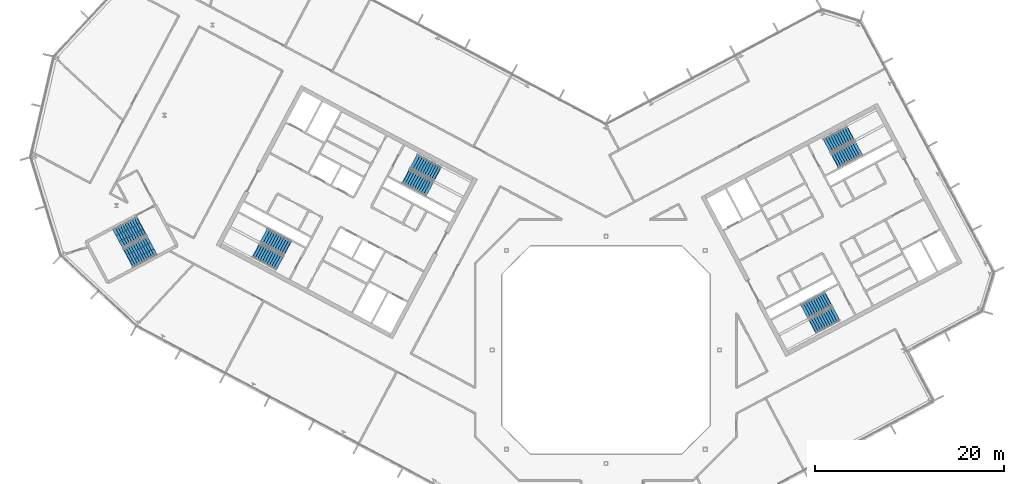
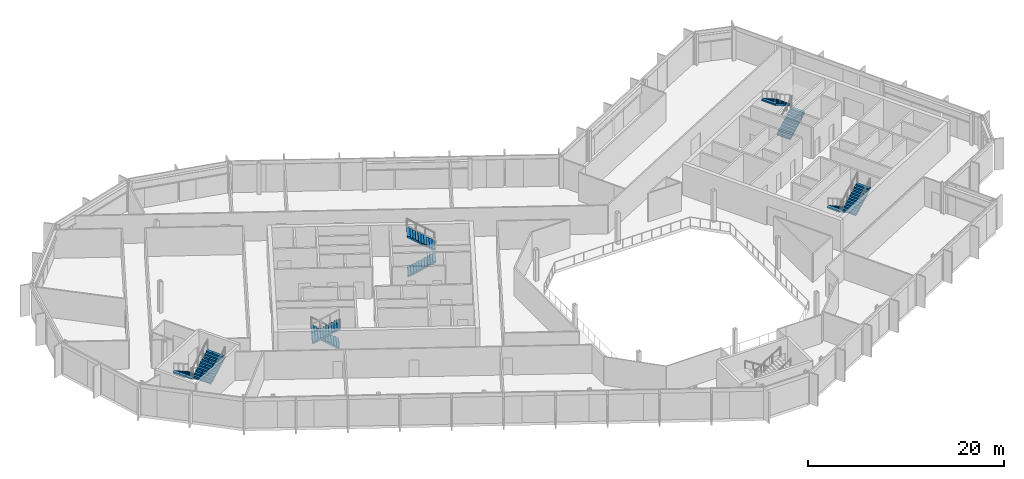
# One storey, part 18 of 26: 10 stair flights, 5 elements without a shape of their own.
"""IFC4 building model written with IfcOpenShell, lengths in metres."""

import ifcopenshell
import ifcopenshell.guid

model = None  # the IFC model being written
_history = None  # IfcOwnerHistory: only IFC2X3 demands one
_inside = {}  # id of a spatial element -> (the spatial element, [elements in it])
_under = {}  # id of a project, library or spatial element -> (it, [spatial elements below it])
_declared = {}  # id of a project -> (the project, [libraries it declares])
_typed = {}  # id of a type object -> (the type object, [elements of that type])
_made_of = {}  # id of a material, layer set ... -> (it, [elements and type objects made of it])


def new_model(schema):
    """Start an empty IFC model of exactly this schema.

    Asked for "IFC4X3", IfcOpenShell would pick the latest addendum, in which some entities
    have other attributes; the version numbers below select the first issue.
    IFC2X3 requires an IfcOwnerHistory on every rooted entity: one is made here for all.
    """
    global model, _history
    if schema == "IFC4X3":
        model = ifcopenshell.file(schema_version=(4, 3, 0, 0))
    else:
        model = ifcopenshell.file(schema=schema)
    _inside.clear()
    _under.clear()
    _declared.clear()
    _typed.clear()
    _made_of.clear()
    _history = None
    if model.schema == "IFC2X3":
        org = make("IfcOrganization", Name="unknown")
        user = make(
            "IfcPersonAndOrganization",
            ThePerson=make("IfcPerson", FamilyName="unknown"),
            TheOrganization=org,
        )
        app = make(
            "IfcApplication",
            ApplicationDeveloper=org,
            Version="unknown",
            ApplicationFullName="unknown",
            ApplicationIdentifier="unknown",
        )
        _history = make(
            "IfcOwnerHistory",
            OwningUser=user,
            OwningApplication=app,
            ChangeAction="ADDED",
            CreationDate=0,
        )
    return model


def make(cls, **values):
    """One entity of the class cls with the attributes given. An attribute that is None is left unset."""
    return model.create_entity(
        cls, **{name: value for name, value in values.items() if value is not None}
    )


def rooted(cls, **values):
    """An entity with a GlobalId (a new one), such as an element, a storey or a relation."""
    return make(cls, GlobalId=ifcopenshell.guid.new(), OwnerHistory=_history, **values)


def si_unit(unit_type, name, prefix=None):
    """IfcSIUnit, for example si_unit("LENGTHUNIT", "METRE", prefix="MILLI")."""
    return make("IfcSIUnit", UnitType=unit_type, Prefix=prefix, Name=name)


def assignment(units):
    """IfcUnitAssignment: the units of a project."""
    return None if units is None else make("IfcUnitAssignment", Units=units)


def point(xyz):
    """IfcCartesianPoint."""
    return None if xyz is None else make("IfcCartesianPoint", Coordinates=xyz)


def direction(xyz):
    """IfcDirection."""
    return None if xyz is None else make("IfcDirection", DirectionRatios=xyz)


def frame(location, z_axis=None, x_axis=None):
    """IfcAxis2Placement3D, a coordinate frame: its origin and axes. An axis left out is left unset."""
    return make(
        "IfcAxis2Placement3D",
        Location=point(location),
        Axis=direction(z_axis),
        RefDirection=direction(x_axis),
    )


def origin():
    """The frame at (0, 0, 0) with its axes left unset."""
    return frame((0.0, 0.0, 0.0))


def place(relative_to, where):
    """IfcLocalPlacement: puts the frame where relative to a parent placement (None: the world)."""
    return make(
        "IfcLocalPlacement", PlacementRelTo=relative_to, RelativePlacement=where
    )


def context(
    kind, dimensions, precision=None, world=None, true_north=None, identifier=None
):
    """IfcGeometricRepresentationContext, for example the 3D "Model" context."""
    return make(
        "IfcGeometricRepresentationContext",
        ContextIdentifier=identifier,
        ContextType=kind,
        CoordinateSpaceDimension=dimensions,
        Precision=precision,
        WorldCoordinateSystem=world,
        TrueNorth=true_north,
    )


def subcontext(parent, identifier, kind, view, scale=None):
    """IfcGeometricRepresentationSubContext, for example "Body" below "Model"."""
    return make(
        "IfcGeometricRepresentationSubContext",
        ContextIdentifier=identifier,
        ContextType=kind,
        ParentContext=parent,
        TargetScale=scale,
        TargetView=view,
    )


def project(units=None, contexts=None):
    """IfcProject with its units and contexts."""
    return rooted(
        "IfcProject",
        Name="project",
        RepresentationContexts=contexts,
        UnitsInContext=assignment(units),
    )


def spatial(cls, under=None, at=None, **own):
    """A site, building, storey or space (cls), placed at a placement, below another one or the project."""
    s = rooted(cls, ObjectPlacement=at, **own)
    if under is not None:
        _under.setdefault(under.id(), (under, []))[1].append(s)
    return s


def polyline(points):
    """IfcPolyline through the points."""
    return make("IfcPolyline", Points=[point(p) for p in points])


def outline(outer, holes=None, kind="AREA"):
    """IfcArbitraryClosedProfileDef: a profile drawn as a closed curve; with holes, ...WithVoids."""
    if holes is None:
        return make("IfcArbitraryClosedProfileDef", ProfileType=kind, OuterCurve=outer)
    return make(
        "IfcArbitraryProfileDefWithVoids",
        ProfileType=kind,
        OuterCurve=outer,
        InnerCurves=holes,
    )


def extrude(swept, where, along, depth):
    """IfcExtrudedAreaSolid: the profile swept, set in the frame where, extruded along a direction by depth."""
    return make(
        "IfcExtrudedAreaSolid",
        SweptArea=swept,
        Position=where,
        ExtrudedDirection=direction(along),
        Depth=depth,
    )


def shape(context_of_items, identifier, shape_type, items):
    """IfcShapeRepresentation: the items that make up one representation, for example the "Body"."""
    return make(
        "IfcShapeRepresentation",
        ContextOfItems=context_of_items,
        RepresentationIdentifier=identifier,
        RepresentationType=shape_type,
        Items=items,
    )


def material(Name=None, Category=None):
    """IfcMaterial."""
    return make("IfcMaterial", Name=Name, Category=Category)


def made_of(thing, what):
    """Note that an element or type object is made of a material, layer set ...; save() writes the relation."""
    if what is not None:
        _made_of.setdefault(what.id(), (what, []))[1].append(thing)
    return thing


def type_object(cls, material=None, **own):
    """A type object (cls), such as IfcWallType, which elements share."""
    return made_of(rooted(cls, **own), material)


def element(
    cls,
    number,
    at=None,
    inside=None,
    cuts=None,
    type_object=None,
    material=None,
    context=None,
    identifier="Body",
    shape_type=None,
    held_by="IfcProductDefinitionShape",
    body=None,
    shapes=None,
    **own,
):
    """One element of the class cls, such as IfcWall. Its Tag is "e" and its number.

    at: its placement. inside: the storey or other place that contains it. cuts: it is an
    opening in that element (IfcRelVoidsElement). A single representation is given by context,
    identifier, shape_type and body (its items); several are given by shapes. held_by: the class
    of the entity that holds the representations. save() writes the other relations.
    """
    e = rooted(cls, Tag="e%d" % number, ObjectPlacement=at, **own)
    if body is not None:
        shapes = [shape(context, identifier, shape_type, body)]
    if shapes is not None:
        e.Representation = make(held_by, Representations=shapes)
    if inside is not None:
        _inside.setdefault(inside.id(), (inside, []))[1].append(e)
    if cuts is not None:
        rooted(
            "IfcRelVoidsElement", RelatingBuildingElement=cuts, RelatedOpeningElement=e
        )
    if type_object is not None:
        _typed.setdefault(type_object.id(), (type_object, []))[1].append(e)
    return made_of(e, material)


def aggregate(whole, parts):
    """IfcRelAggregates: a whole, such as a stair, and the parts it consists of."""
    return rooted("IfcRelAggregates", RelatingObject=whole, RelatedObjects=parts)


def save(model, path):
    """Write the relations noted so far, then the file.

    IfcRelAggregates (storeys below a building ...), IfcRelContainedInSpatialStructure (elements
    in a storey), IfcRelDefinesByType, IfcRelAssociatesMaterial and IfcRelDeclares: one each for
    every whole, place, type object, material and project.
    """
    for whole, parts in _under.values():
        aggregate(whole, parts)
    for where, things in _inside.values():
        rooted(
            "IfcRelContainedInSpatialStructure",
            RelatedElements=things,
            RelatingStructure=where,
        )
    for kind, things in _typed.values():
        rooted("IfcRelDefinesByType", RelatedObjects=things, RelatingType=kind)
    for what, things in _made_of.values():
        rooted("IfcRelAssociatesMaterial", RelatedObjects=things, RelatingMaterial=what)
    for by, libraries in _declared.values():
        rooted("IfcRelDeclares", RelatingContext=by, RelatedDefinitions=libraries)
    model.write(path)


model = new_model("IFC4")

# Units and contexts
model_context = context("Model", 3, precision=1e-05, world=origin(), true_north=direction((0.0, 1.0)))
body_context = subcontext(model_context, "Body", "Model", "MODEL_VIEW")
ifc_project = project(units=[si_unit("LENGTHUNIT", "METRE"), si_unit("AREAUNIT", "SQUARE_METRE"), si_unit("VOLUMEUNIT", "CUBIC_METRE"), si_unit("PLANEANGLEUNIT", "RADIAN"), si_unit("MASSUNIT", "GRAM", prefix="KILO")], contexts=[model_context])

# Site, building, storey
site_placement = place(None, origin())
site = spatial("IfcSite", under=ifc_project, at=site_placement, CompositionType="ELEMENT")
building_placement = place(site_placement, origin())
building = spatial("IfcBuilding", under=site, at=building_placement, Name="Cormorant Relay Tower", CompositionType="ELEMENT")
storey_placement = place(building_placement, frame((0.0, 0.0, 300.89990234375)))
storey = spatial("IfcBuildingStorey", under=building, at=storey_placement, Name="L68", CompositionType="ELEMENT", Elevation=300.89990234375)

# Stair, stair flights
ifc_material_1 = material(Name="Concrete 40 MPa", Category="concrete")
stair_type_1 = type_object("IfcStairType", Name="Exit stair 1500", PredefinedType="HALF_TURN_STAIR", material=ifc_material_1)
stair_1_placement = place(storey_placement, origin())
stair_1 = element("IfcStair", 1, at=stair_1_placement, inside=storey, type_object=stair_type_1, Name="L68 Stair", PredefinedType="HALF_TURN_STAIR")
ifc_material_2 = material(Name="Concrete 40 MPa", Category="concrete")
stair_flight_type_1 = type_object("IfcStairFlightType", Name="Exit stair flight 1650", PredefinedType="STRAIGHT", material=ifc_material_2)
stair_flight_1_placement = place(storey_placement, frame((-21.114501953125, 18.33349609375, 0.0), z_axis=(0.0, 0.0, 1.0), x_axis=(0.882947592859, -0.469471562786, 0.0)))
stair_flight_1 = element("IfcStairFlight", 2, at=stair_flight_1_placement, type_object=stair_flight_type_1, Name="A1 flight 1", NumberOfRisers=11, NumberOfTreads=10, PredefinedType="STRAIGHT", RiserHeight=0.177272727, TreadLength=0.28, context=body_context, shape_type="SweptSolid", body=[
    extrude(outline(polyline([(-0.050048828125, -0.080078125), (-0.050048828125, 0.0), (0.0, 0.0), (0.0, 0.17724609375), (0.280029296875, 0.17724609375), (0.280029296875, 0.3544921875), (0.56005859375, 0.3544921875), (0.56005859375, 0.53173828125), (0.840087890625, 0.53173828125), (0.840087890625, 0.708984375), (1.1201171875, 0.708984375), (1.1201171875, 0.886474609375), (1.39990234375, 0.886474609375), (1.39990234375, 1.063720703125), (1.679931640625, 1.063720703125), (1.679931640625, 1.240966796875), (1.9599609375, 1.240966796875), (1.9599609375, 1.418212890625), (2.239990234375, 1.418212890625), (2.239990234375, 1.595458984375), (2.52001953125, 1.595458984375), (2.52001953125, 1.772705078125), (2.800048828125, 1.772705078125), (2.85009765625, 1.772705078125), (2.85009765625, 1.59521484375), (2.800048828125, 1.59521484375), (0.2802734375, 0.0), (-0.050048828125, -0.080078125)])), frame((0.0, 0.824951171875, 0.0), z_axis=(0.0, -1.0, 0.0), x_axis=(1.0, 0.0, 0.0)), (0.0, 0.0, 1.0), 1.64990234375),
])
stair_flight_2_placement = place(storey_placement, frame((-17.797119140625, 18.6083984375, 1.9501953125), z_axis=(0.0, 0.0, 1.0), x_axis=(-0.882947592859, 0.469471562786, 0.0)))
stair_flight_2 = element("IfcStairFlight", 3, at=stair_flight_2_placement, type_object=stair_flight_type_1, Name="A1 flight 2", NumberOfRisers=11, NumberOfTreads=10, PredefinedType="STRAIGHT", RiserHeight=0.177272727, TreadLength=0.28, context=body_context, shape_type="SweptSolid", body=[
    extrude(outline(polyline([(-0.050048828125, -0.080078125), (-0.050048828125, 0.0), (0.0, 0.0), (0.0, 0.17724609375), (0.280029296875, 0.17724609375), (0.280029296875, 0.3544921875), (0.56005859375, 0.3544921875), (0.56005859375, 0.53173828125), (0.840087890625, 0.53173828125), (0.840087890625, 0.708984375), (1.1201171875, 0.708984375), (1.1201171875, 0.886474609375), (1.39990234375, 0.886474609375), (1.39990234375, 1.063720703125), (1.679931640625, 1.063720703125), (1.679931640625, 1.240966796875), (1.9599609375, 1.240966796875), (1.9599609375, 1.418212890625), (2.239990234375, 1.418212890625), (2.239990234375, 1.595458984375), (2.52001953125, 1.595458984375), (2.52001953125, 1.772705078125), (2.800048828125, 1.772705078125), (2.85009765625, 1.772705078125), (2.85009765625, 1.59521484375), (2.800048828125, 1.59521484375), (0.2802734375, 0.0), (-0.050048828125, -0.080078125)])), frame((0.0, 0.824951171875, 0.0), z_axis=(0.0, -1.0, 0.0), x_axis=(1.0, 0.0, 0.0)), (0.0, 0.0, 1.0), 1.64990234375),
])
aggregate(stair_1, [stair_flight_1, stair_flight_2])

stair_2_placement = place(storey_placement, origin())
stair_2 = element("IfcStair", 4, at=stair_2_placement, inside=storey, type_object=stair_type_1, Name="L68 Stair", PredefinedType="HALF_TURN_STAIR")
stair_flight_3_placement = place(storey_placement, frame((-33.62841796875, 10.773681640625, 0.0), z_axis=(0.0, 0.0, 1.0), x_axis=(-0.882947592859, 0.469471562786, 0.0)))
stair_flight_3 = element("IfcStairFlight", 5, at=stair_flight_3_placement, type_object=stair_flight_type_1, Name="A2 flight 1", NumberOfRisers=11, NumberOfTreads=10, PredefinedType="STRAIGHT", RiserHeight=0.177272727, TreadLength=0.28, context=body_context, shape_type="SweptSolid", body=[
    extrude(outline(polyline([(-0.050048828125, -0.080078125), (-0.050048828125, 0.0), (0.0, 0.0), (0.0, 0.17724609375), (0.280029296875, 0.17724609375), (0.280029296875, 0.3544921875), (0.56005859375, 0.3544921875), (0.56005859375, 0.53173828125), (0.840087890625, 0.53173828125), (0.840087890625, 0.708984375), (1.1201171875, 0.708984375), (1.1201171875, 0.886474609375), (1.39990234375, 0.886474609375), (1.39990234375, 1.063720703125), (1.679931640625, 1.063720703125), (1.679931640625, 1.240966796875), (1.9599609375, 1.240966796875), (1.9599609375, 1.418212890625), (2.239990234375, 1.418212890625), (2.239990234375, 1.595458984375), (2.52001953125, 1.595458984375), (2.52001953125, 1.772705078125), (2.800048828125, 1.772705078125), (2.85009765625, 1.772705078125), (2.85009765625, 1.59521484375), (2.800048828125, 1.59521484375), (0.2802734375, 0.0), (-0.050048828125, -0.080078125)])), frame((0.0, 0.824951171875, 0.0), z_axis=(0.0, -1.0, 0.0), x_axis=(1.0, 0.0, 0.0)), (0.0, 0.0, 1.0), 1.64990234375),
])
stair_flight_4_placement = place(storey_placement, frame((-36.945556640625, 10.498779296875, 1.9501953125), z_axis=(0.0, 0.0, 1.0), x_axis=(0.882947592859, -0.469471562786, 0.0)))
stair_flight_4 = element("IfcStairFlight", 6, at=stair_flight_4_placement, type_object=stair_flight_type_1, Name="A2 flight 2", NumberOfRisers=11, NumberOfTreads=10, PredefinedType="STRAIGHT", RiserHeight=0.177272727, TreadLength=0.28, context=body_context, shape_type="SweptSolid", body=[
    extrude(outline(polyline([(-0.050048828125, -0.080078125), (-0.050048828125, 0.0), (0.0, 0.0), (0.0, 0.17724609375), (0.280029296875, 0.17724609375), (0.280029296875, 0.3544921875), (0.56005859375, 0.3544921875), (0.56005859375, 0.53173828125), (0.840087890625, 0.53173828125), (0.840087890625, 0.708984375), (1.1201171875, 0.708984375), (1.1201171875, 0.886474609375), (1.39990234375, 0.886474609375), (1.39990234375, 1.063720703125), (1.679931640625, 1.063720703125), (1.679931640625, 1.240966796875), (1.9599609375, 1.240966796875), (1.9599609375, 1.418212890625), (2.239990234375, 1.418212890625), (2.239990234375, 1.595458984375), (2.52001953125, 1.595458984375), (2.52001953125, 1.772705078125), (2.800048828125, 1.772705078125), (2.85009765625, 1.772705078125), (2.85009765625, 1.59521484375), (2.800048828125, 1.59521484375), (0.2802734375, 0.0), (-0.050048828125, -0.080078125)])), frame((0.0, 0.824951171875, 0.0), z_axis=(0.0, -1.0, 0.0), x_axis=(1.0, 0.0, 0.0)), (0.0, 0.0, 1.0), 1.64990234375),
])
aggregate(stair_2, [stair_flight_3, stair_flight_4])

stair_3_placement = place(storey_placement, origin())
stair_3 = element("IfcStair", 7, at=stair_3_placement, inside=storey, type_object=stair_type_1, Name="L68 Stair", PredefinedType="HALF_TURN_STAIR")
stair_flight_5_placement = place(storey_placement, frame((23.474365234375, 5.374755859375, 0.0), z_axis=(0.0, 0.0, 1.0), x_axis=(-0.882947592859, -0.469471562786, 0.0)))
stair_flight_5 = element("IfcStairFlight", 8, at=stair_flight_5_placement, type_object=stair_flight_type_1, Name="B1 flight 1", NumberOfRisers=11, NumberOfTreads=10, PredefinedType="STRAIGHT", RiserHeight=0.177272727, TreadLength=0.28, context=body_context, shape_type="SweptSolid", body=[
    extrude(outline(polyline([(-0.050048828125, -0.080078125), (-0.050048828125, 0.0), (0.0, 0.0), (0.0, 0.17724609375), (0.280029296875, 0.17724609375), (0.280029296875, 0.3544921875), (0.56005859375, 0.3544921875), (0.56005859375, 0.53173828125), (0.840087890625, 0.53173828125), (0.840087890625, 0.708984375), (1.1201171875, 0.708984375), (1.1201171875, 0.886474609375), (1.39990234375, 0.886474609375), (1.39990234375, 1.063720703125), (1.679931640625, 1.063720703125), (1.679931640625, 1.240966796875), (1.9599609375, 1.240966796875), (1.9599609375, 1.418212890625), (2.239990234375, 1.418212890625), (2.239990234375, 1.595458984375), (2.52001953125, 1.595458984375), (2.52001953125, 1.772705078125), (2.800048828125, 1.772705078125), (2.85009765625, 1.772705078125), (2.85009765625, 1.59521484375), (2.800048828125, 1.59521484375), (0.2802734375, 0.0), (-0.050048828125, -0.080078125)])), frame((0.0, 0.824951171875, 0.0), z_axis=(0.0, -1.0, 0.0), x_axis=(1.0, 0.0, 0.0)), (0.0, 0.0, 1.0), 1.64990234375),
])
stair_flight_6_placement = place(storey_placement, frame((21.84716796875, 2.470947265625, 1.9501953125), z_axis=(0.0, 0.0, 1.0), x_axis=(0.882947592859, 0.469471562786, 0.0)))
stair_flight_6 = element("IfcStairFlight", 9, at=stair_flight_6_placement, type_object=stair_flight_type_1, Name="B1 flight 2", NumberOfRisers=11, NumberOfTreads=10, PredefinedType="STRAIGHT", RiserHeight=0.177272727, TreadLength=0.28, context=body_context, shape_type="SweptSolid", body=[
    extrude(outline(polyline([(-0.050048828125, -0.080078125), (-0.050048828125, 0.0), (0.0, 0.0), (0.0, 0.17724609375), (0.280029296875, 0.17724609375), (0.280029296875, 0.3544921875), (0.56005859375, 0.3544921875), (0.56005859375, 0.53173828125), (0.840087890625, 0.53173828125), (0.840087890625, 0.708984375), (1.1201171875, 0.708984375), (1.1201171875, 0.886474609375), (1.39990234375, 0.886474609375), (1.39990234375, 1.063720703125), (1.679931640625, 1.063720703125), (1.679931640625, 1.240966796875), (1.9599609375, 1.240966796875), (1.9599609375, 1.418212890625), (2.239990234375, 1.418212890625), (2.239990234375, 1.595458984375), (2.52001953125, 1.595458984375), (2.52001953125, 1.772705078125), (2.800048828125, 1.772705078125), (2.85009765625, 1.772705078125), (2.85009765625, 1.59521484375), (2.800048828125, 1.59521484375), (0.2802734375, 0.0), (-0.050048828125, -0.080078125)])), frame((0.0, 0.824951171875, 0.0), z_axis=(0.0, -1.0, 0.0), x_axis=(1.0, 0.0, 0.0)), (0.0, 0.0, 1.0), 1.64990234375),
])
aggregate(stair_3, [stair_flight_5, stair_flight_6])

stair_4_placement = place(storey_placement, origin())
stair_4 = element("IfcStair", 10, at=stair_4_placement, inside=storey, type_object=stair_type_1, Name="L68 Stair", PredefinedType="HALF_TURN_STAIR")
stair_flight_7_placement = place(storey_placement, frame((24.20458984375, 19.976806640625, 0.0), z_axis=(0.0, 0.0, 1.0), x_axis=(0.882947592859, 0.469471562786, 0.0)))
stair_flight_7 = element("IfcStairFlight", 11, at=stair_flight_7_placement, type_object=stair_flight_type_1, Name="B2 flight 1", NumberOfRisers=11, NumberOfTreads=10, PredefinedType="STRAIGHT", RiserHeight=0.177272727, TreadLength=0.28, context=body_context, shape_type="SweptSolid", body=[
    extrude(outline(polyline([(-0.050048828125, -0.080078125), (-0.050048828125, 0.0), (0.0, 0.0), (0.0, 0.17724609375), (0.280029296875, 0.17724609375), (0.280029296875, 0.3544921875), (0.56005859375, 0.3544921875), (0.56005859375, 0.53173828125), (0.840087890625, 0.53173828125), (0.840087890625, 0.708984375), (1.1201171875, 0.708984375), (1.1201171875, 0.886474609375), (1.39990234375, 0.886474609375), (1.39990234375, 1.063720703125), (1.679931640625, 1.063720703125), (1.679931640625, 1.240966796875), (1.9599609375, 1.240966796875), (1.9599609375, 1.418212890625), (2.239990234375, 1.418212890625), (2.239990234375, 1.595458984375), (2.52001953125, 1.595458984375), (2.52001953125, 1.772705078125), (2.800048828125, 1.772705078125), (2.85009765625, 1.772705078125), (2.85009765625, 1.59521484375), (2.800048828125, 1.59521484375), (0.2802734375, 0.0), (-0.050048828125, -0.080078125)])), frame((0.0, 0.824951171875, 0.0), z_axis=(0.0, -1.0, 0.0), x_axis=(1.0, 0.0, 0.0)), (0.0, 0.0, 1.0), 1.64990234375),
])
stair_flight_8_placement = place(storey_placement, frame((25.831787109375, 22.880615234375, 1.9501953125), z_axis=(0.0, 0.0, 1.0), x_axis=(-0.882947592859, -0.469471562786, 0.0)))
stair_flight_8 = element("IfcStairFlight", 12, at=stair_flight_8_placement, type_object=stair_flight_type_1, Name="B2 flight 2", NumberOfRisers=11, NumberOfTreads=10, PredefinedType="STRAIGHT", RiserHeight=0.177272727, TreadLength=0.28, context=body_context, shape_type="SweptSolid", body=[
    extrude(outline(polyline([(-0.050048828125, -0.080078125), (-0.050048828125, 0.0), (0.0, 0.0), (0.0, 0.17724609375), (0.280029296875, 0.17724609375), (0.280029296875, 0.3544921875), (0.56005859375, 0.3544921875), (0.56005859375, 0.53173828125), (0.840087890625, 0.53173828125), (0.840087890625, 0.708984375), (1.1201171875, 0.708984375), (1.1201171875, 0.886474609375), (1.39990234375, 0.886474609375), (1.39990234375, 1.063720703125), (1.679931640625, 1.063720703125), (1.679931640625, 1.240966796875), (1.9599609375, 1.240966796875), (1.9599609375, 1.418212890625), (2.239990234375, 1.418212890625), (2.239990234375, 1.595458984375), (2.52001953125, 1.595458984375), (2.52001953125, 1.772705078125), (2.800048828125, 1.772705078125), (2.85009765625, 1.772705078125), (2.85009765625, 1.59521484375), (2.800048828125, 1.59521484375), (0.2802734375, 0.0), (-0.050048828125, -0.080078125)])), frame((0.0, 0.824951171875, 0.0), z_axis=(0.0, -1.0, 0.0), x_axis=(1.0, 0.0, 0.0)), (0.0, 0.0, 1.0), 1.64990234375),
])
aggregate(stair_4, [stair_flight_7, stair_flight_8])

ifc_material_3 = material(Name="Concrete 40 MPa", Category="concrete")
stair_type_2 = type_object("IfcStairType", Name="Remote exit stair 2200", PredefinedType="HALF_TURN_STAIR", material=ifc_material_3)
stair_5_placement = place(storey_placement, origin())
stair_5 = element("IfcStair", 13, at=stair_5_placement, inside=storey, type_object=stair_type_2, Name="L68 Stair", PredefinedType="HALF_TURN_STAIR")
ifc_material_4 = material(Name="Concrete 40 MPa", Category="concrete")
stair_flight_type_2 = type_object("IfcStairFlightType", Name="Remote exit stair flight 2200", PredefinedType="STRAIGHT", material=ifc_material_4)
stair_flight_9_placement = place(storey_placement, frame((-49.062255859375, 13.08251953125, 0.0), z_axis=(0.0, 0.0, 1.0), x_axis=(-0.882947502727, -0.4694717323, 0.0)))
stair_flight_9 = element("IfcStairFlight", 14, at=stair_flight_9_placement, type_object=stair_flight_type_2, Name="RP1 flight 1", NumberOfRisers=11, NumberOfTreads=10, PredefinedType="STRAIGHT", RiserHeight=0.177272727, TreadLength=0.28, context=body_context, shape_type="SweptSolid", body=[
    extrude(outline(polyline([(-0.050048828125, -0.080078125), (-0.050048828125, 0.0), (0.0, 0.0), (0.0, 0.17724609375), (0.280029296875, 0.17724609375), (0.280029296875, 0.3544921875), (0.56005859375, 0.3544921875), (0.56005859375, 0.53173828125), (0.840087890625, 0.53173828125), (0.840087890625, 0.708984375), (1.1201171875, 0.708984375), (1.1201171875, 0.886474609375), (1.39990234375, 0.886474609375), (1.39990234375, 1.063720703125), (1.679931640625, 1.063720703125), (1.679931640625, 1.240966796875), (1.9599609375, 1.240966796875), (1.9599609375, 1.418212890625), (2.239990234375, 1.418212890625), (2.239990234375, 1.595458984375), (2.52001953125, 1.595458984375), (2.52001953125, 1.772705078125), (2.800048828125, 1.772705078125), (2.85009765625, 1.772705078125), (2.85009765625, 1.59521484375), (2.800048828125, 1.59521484375), (0.2802734375, 0.0), (-0.050048828125, -0.080078125)])), frame((0.0, 1.10009765625, 0.0), z_axis=(0.0, -1.0, 0.0), x_axis=(1.0, 0.0, 0.0)), (0.0, 0.0, 1.0), 0.719970703125),
    extrude(outline(polyline([(-0.050048828125, -0.080078125), (-0.050048828125, 0.0), (0.0, 0.0), (0.0, 0.17724609375), (0.280029296875, 0.17724609375), (0.280029296875, 0.3544921875), (0.56005859375, 0.3544921875), (0.56005859375, 0.53173828125), (0.840087890625, 0.53173828125), (0.840087890625, 0.708984375), (1.1201171875, 0.708984375), (1.1201171875, 0.886474609375), (1.39990234375, 0.886474609375), (1.39990234375, 1.063720703125), (1.679931640625, 1.063720703125), (1.679931640625, 1.240966796875), (1.9599609375, 1.240966796875), (1.9599609375, 1.418212890625), (2.239990234375, 1.418212890625), (2.239990234375, 1.595458984375), (2.52001953125, 1.595458984375), (2.52001953125, 1.772705078125), (2.800048828125, 1.772705078125), (2.85009765625, 1.772705078125), (2.85009765625, 1.59521484375), (2.800048828125, 1.59521484375), (0.2802734375, 0.0), (-0.050048828125, -0.080078125)])), frame((0.0, 0.360107421875, 0.0), z_axis=(0.0, -1.0, 0.0), x_axis=(1.0, 0.0, 0.0)), (0.0, 0.0, 1.0), 0.719970703125),
    extrude(outline(polyline([(-0.050048828125, -0.080078125), (-0.050048828125, 0.0), (0.0, 0.0), (0.0, 0.17724609375), (0.280029296875, 0.17724609375), (0.280029296875, 0.3544921875), (0.56005859375, 0.3544921875), (0.56005859375, 0.53173828125), (0.840087890625, 0.53173828125), (0.840087890625, 0.708984375), (1.1201171875, 0.708984375), (1.1201171875, 0.886474609375), (1.39990234375, 0.886474609375), (1.39990234375, 1.063720703125), (1.679931640625, 1.063720703125), (1.679931640625, 1.240966796875), (1.9599609375, 1.240966796875), (1.9599609375, 1.418212890625), (2.239990234375, 1.418212890625), (2.239990234375, 1.595458984375), (2.52001953125, 1.595458984375), (2.52001953125, 1.772705078125), (2.800048828125, 1.772705078125), (2.85009765625, 1.772705078125), (2.85009765625, 1.59521484375), (2.800048828125, 1.59521484375), (0.2802734375, 0.0), (-0.050048828125, -0.080078125)])), frame((0.0, -0.3798828125, 0.0), z_axis=(0.0, -1.0, 0.0), x_axis=(1.0, 0.0, 0.0)), (0.0, 0.0, 1.0), 0.719970703125),
])
stair_flight_10_placement = place(storey_placement, frame((-50.431396484375, 9.693115234375, 1.9501953125), z_axis=(0.0, 0.0, 1.0), x_axis=(0.882947502727, 0.4694717323, 0.0)))
stair_flight_10 = element("IfcStairFlight", 15, at=stair_flight_10_placement, type_object=stair_flight_type_2, Name="RP1 flight 2", NumberOfRisers=11, NumberOfTreads=10, PredefinedType="STRAIGHT", RiserHeight=0.177272727, TreadLength=0.28, context=body_context, shape_type="SweptSolid", body=[
    extrude(outline(polyline([(-0.050048828125, -0.080078125), (-0.050048828125, 0.0), (0.0, 0.0), (0.0, 0.17724609375), (0.280029296875, 0.17724609375), (0.280029296875, 0.3544921875), (0.56005859375, 0.3544921875), (0.56005859375, 0.53173828125), (0.840087890625, 0.53173828125), (0.840087890625, 0.708984375), (1.1201171875, 0.708984375), (1.1201171875, 0.886474609375), (1.39990234375, 0.886474609375), (1.39990234375, 1.063720703125), (1.679931640625, 1.063720703125), (1.679931640625, 1.240966796875), (1.9599609375, 1.240966796875), (1.9599609375, 1.418212890625), (2.239990234375, 1.418212890625), (2.239990234375, 1.595458984375), (2.52001953125, 1.595458984375), (2.52001953125, 1.772705078125), (2.800048828125, 1.772705078125), (2.85009765625, 1.772705078125), (2.85009765625, 1.59521484375), (2.800048828125, 1.59521484375), (0.2802734375, 0.0), (-0.050048828125, -0.080078125)])), frame((0.0, 1.10009765625, 0.0), z_axis=(0.0, -1.0, 0.0), x_axis=(1.0, 0.0, 0.0)), (0.0, 0.0, 1.0), 0.719970703125),
    extrude(outline(polyline([(-0.050048828125, -0.080078125), (-0.050048828125, 0.0), (0.0, 0.0), (0.0, 0.17724609375), (0.280029296875, 0.17724609375), (0.280029296875, 0.3544921875), (0.56005859375, 0.3544921875), (0.56005859375, 0.53173828125), (0.840087890625, 0.53173828125), (0.840087890625, 0.708984375), (1.1201171875, 0.708984375), (1.1201171875, 0.886474609375), (1.39990234375, 0.886474609375), (1.39990234375, 1.063720703125), (1.679931640625, 1.063720703125), (1.679931640625, 1.240966796875), (1.9599609375, 1.240966796875), (1.9599609375, 1.418212890625), (2.239990234375, 1.418212890625), (2.239990234375, 1.595458984375), (2.52001953125, 1.595458984375), (2.52001953125, 1.772705078125), (2.800048828125, 1.772705078125), (2.85009765625, 1.772705078125), (2.85009765625, 1.59521484375), (2.800048828125, 1.59521484375), (0.2802734375, 0.0), (-0.050048828125, -0.080078125)])), frame((0.0, 0.360107421875, 0.0), z_axis=(0.0, -1.0, 0.0), x_axis=(1.0, 0.0, 0.0)), (0.0, 0.0, 1.0), 0.719970703125),
    extrude(outline(polyline([(-0.050048828125, -0.080078125), (-0.050048828125, 0.0), (0.0, 0.0), (0.0, 0.17724609375), (0.280029296875, 0.17724609375), (0.280029296875, 0.3544921875), (0.56005859375, 0.3544921875), (0.56005859375, 0.53173828125), (0.840087890625, 0.53173828125), (0.840087890625, 0.708984375), (1.1201171875, 0.708984375), (1.1201171875, 0.886474609375), (1.39990234375, 0.886474609375), (1.39990234375, 1.063720703125), (1.679931640625, 1.063720703125), (1.679931640625, 1.240966796875), (1.9599609375, 1.240966796875), (1.9599609375, 1.418212890625), (2.239990234375, 1.418212890625), (2.239990234375, 1.595458984375), (2.52001953125, 1.595458984375), (2.52001953125, 1.772705078125), (2.800048828125, 1.772705078125), (2.85009765625, 1.772705078125), (2.85009765625, 1.59521484375), (2.800048828125, 1.59521484375), (0.2802734375, 0.0), (-0.050048828125, -0.080078125)])), frame((0.0, -0.3798828125, 0.0), z_axis=(0.0, -1.0, 0.0), x_axis=(1.0, 0.0, 0.0)), (0.0, 0.0, 1.0), 0.719970703125),
])
aggregate(stair_5, [stair_flight_9, stair_flight_10])

save(model, "model.ifc")
